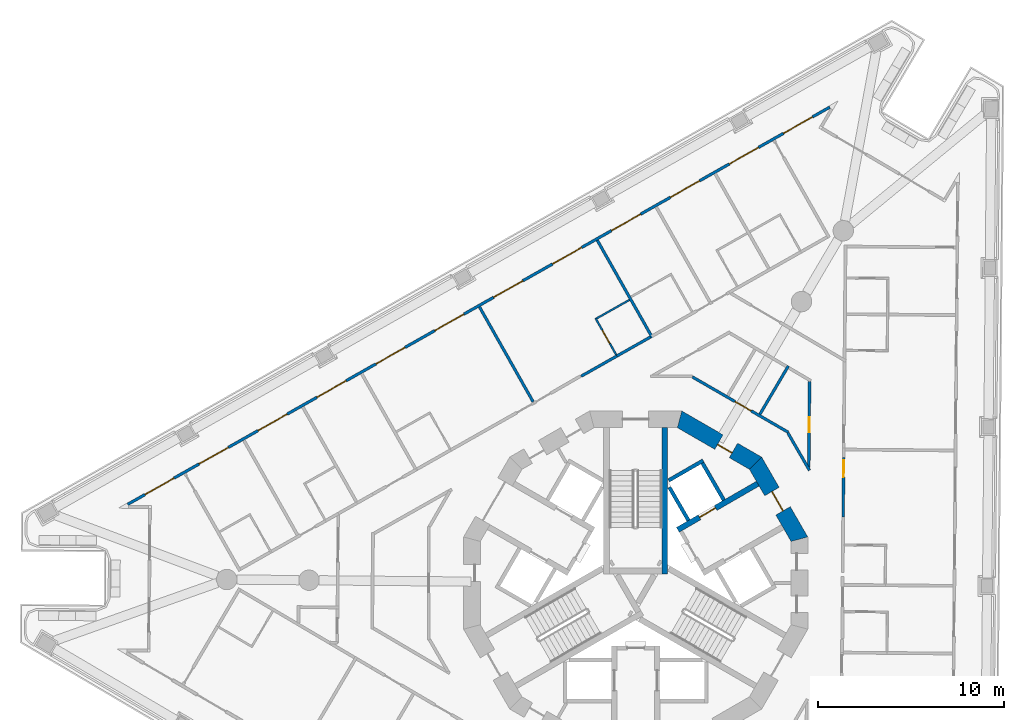
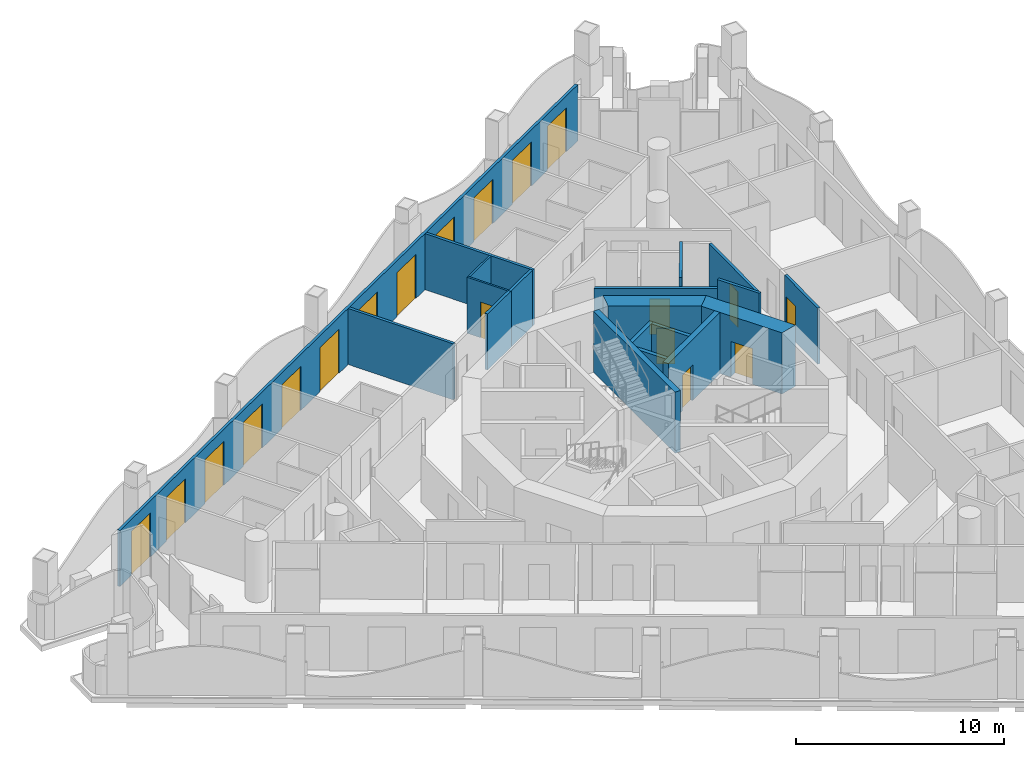
# One storey, part 8 of 17: 19 doors, 19 walls, 19 openings.
"""IFC4 building model written with IfcOpenShell, lengths in metres."""

from ifc_helpers import new_model, si_unit, direction, frame, frame_2d, origin, place, context, subcontext, project, spatial, polyline, rectangle, outline, extrude, material, layer, layer_set, type_object, element, fill, save


model = new_model("IFC4")

# Units and contexts
model_context = context("Model", 3, precision=1e-05, world=origin(), true_north=direction((0.0, 1.0)))
body_context = subcontext(model_context, "Body", "Model", "MODEL_VIEW")
ifc_project = project(units=[si_unit("LENGTHUNIT", "METRE"), si_unit("AREAUNIT", "SQUARE_METRE"), si_unit("VOLUMEUNIT", "CUBIC_METRE"), si_unit("PLANEANGLEUNIT", "RADIAN"), si_unit("MASSUNIT", "GRAM", prefix="KILO")], contexts=[model_context])

# Site, building, storey
site_placement = place(None, origin())
site = spatial("IfcSite", under=ifc_project, at=site_placement, CompositionType="ELEMENT")
building_placement = place(site_placement, origin())
building = spatial("IfcBuilding", under=site, at=building_placement, Name="Trine Commons Tower", CompositionType="ELEMENT")
storey_placement = place(building_placement, frame((0.0, 0.0, 182.699951171875)))
storey = spatial("IfcBuildingStorey", under=building, at=storey_placement, Name="L47", CompositionType="ELEMENT", Elevation=182.699951171875)

# Wall, openings, doors
ifc_material_1 = material(Name="Aluminium-framed insulated wall panel", Category="aluminium")
ifc_layer_1 = layer(ifc_material_1, 0.14990234375)
ifc_layer_set_1 = layer_set([ifc_layer_1], Name="Aluminium-framed insulated wall panel")
wall_type_1 = type_object("IfcWallType", Name="Glazed frame wall 150, EI 60", PredefinedType="SOLIDWALL", material=ifc_layer_set_1)
wall_1_placement = place(storey_placement, frame((52.497802734375, 66.67041015625, 0.0), z_axis=(0.0, 0.0, 1.0), x_axis=(0.870354973249, 0.492424837453, 0.0)))
wall_1 = element("IfcWall", 1, at=wall_1_placement, inside=storey, type_object=wall_type_1, Name="Glazed frame wall F1", PredefinedType="SOLIDWALL", context=body_context, shape_type="SweptSolid", body=[
    extrude(outline(polyline([(0.1494140625, 0.074951171875), (0.1494140625, -0.074951171875), (43.616943359375, -0.074951171875), (43.616943359375, 0.074951171875), (0.1494140625, 0.074951171875)])), origin(), (0.0, 0.0, 1.0), 3.300048828125),
])
opening_1_placement = place(wall_1_placement, frame((1.2236328125, 0.0, 0.0)))
opening_1 = element("IfcOpeningElement", 2, at=opening_1_placement, cuts=wall_1, Name="Opening BD-5F1-01", PredefinedType="OPENING", context=body_context, shape_type="SweptSolid", body=[
    extrude(rectangle(XDim=1.800048828125, YDim=2.60009765625, at=frame_2d((0.89990234375, 1.300048828125))), frame((0.0, 0.0849609375, 0.0), z_axis=(0.0, -1.0, 0.0), x_axis=(1.0, 0.0, 0.0)), (0.0, 0.0, 1.0), 0.169921875),
])
opening_2_placement = place(wall_1_placement, frame((4.57080078125, 0.0, 0.0)))
opening_2 = element("IfcOpeningElement", 3, at=opening_2_placement, cuts=wall_1, Name="Opening BD-5F1-02", PredefinedType="OPENING", context=body_context, shape_type="SweptSolid", body=[
    extrude(rectangle(XDim=1.800048828125, YDim=2.60009765625, at=frame_2d((0.89990234375, 1.300048828125))), frame((0.0, 0.0849609375, 0.0), z_axis=(0.0, -1.0, 0.0), x_axis=(1.0, 0.0, 0.0)), (0.0, 0.0, 1.0), 0.169921875),
])
opening_3_placement = place(wall_1_placement, frame((8.218017578125, 0.0, 0.0)))
opening_3 = element("IfcOpeningElement", 4, at=opening_3_placement, cuts=wall_1, Name="Opening BD-5F1-03", PredefinedType="OPENING", context=body_context, shape_type="SweptSolid", body=[
    extrude(rectangle(XDim=1.800048828125, YDim=2.60009765625, at=frame_2d((0.89990234375, 1.300048828125))), frame((0.0, 0.0849609375, 0.0), z_axis=(0.0, -1.0, 0.0), x_axis=(1.0, 0.0, 0.0)), (0.0, 0.0, 1.0), 0.169921875),
])
opening_4_placement = place(wall_1_placement, frame((11.865234375, 0.0, 0.0)))
opening_4 = element("IfcOpeningElement", 5, at=opening_4_placement, cuts=wall_1, Name="Opening BD-5F1-04", PredefinedType="OPENING", context=body_context, shape_type="SweptSolid", body=[
    extrude(rectangle(XDim=1.800048828125, YDim=2.60009765625, at=frame_2d((0.89990234375, 1.300048828125))), frame((0.0, 0.0849609375, 0.0), z_axis=(0.0, -1.0, 0.0), x_axis=(1.0, 0.0, 0.0)), (0.0, 0.0, 1.0), 0.169921875),
])
opening_5_placement = place(wall_1_placement, frame((15.512451171875, 0.0, 0.0)))
opening_5 = element("IfcOpeningElement", 6, at=opening_5_placement, cuts=wall_1, Name="Opening BD-5F1-05", PredefinedType="OPENING", context=body_context, shape_type="SweptSolid", body=[
    extrude(rectangle(XDim=1.800048828125, YDim=2.60009765625, at=frame_2d((0.89990234375, 1.300048828125))), frame((0.0, 0.0849609375, 0.0), z_axis=(0.0, -1.0, 0.0), x_axis=(1.0, 0.0, 0.0)), (0.0, 0.0, 1.0), 0.169921875),
])
opening_6_placement = place(wall_1_placement, frame((19.15966796875, 0.0, 0.0)))
opening_6 = element("IfcOpeningElement", 7, at=opening_6_placement, cuts=wall_1, Name="Opening BD-5F1-06", PredefinedType="OPENING", context=body_context, shape_type="SweptSolid", body=[
    extrude(rectangle(XDim=1.800048828125, YDim=2.60009765625, at=frame_2d((0.89990234375, 1.300048828125))), frame((0.0, 0.0849609375, 0.0), z_axis=(0.0, -1.0, 0.0), x_axis=(1.0, 0.0, 0.0)), (0.0, 0.0, 1.0), 0.169921875),
])
opening_7_placement = place(wall_1_placement, frame((22.806884765625, 0.0, 0.0)))
opening_7 = element("IfcOpeningElement", 8, at=opening_7_placement, cuts=wall_1, Name="Opening BD-5F1-07", PredefinedType="OPENING", context=body_context, shape_type="SweptSolid", body=[
    extrude(rectangle(XDim=1.800048828125, YDim=2.60009765625, at=frame_2d((0.89990234375, 1.300048828125))), frame((0.0, 0.0849609375, 0.0), z_axis=(0.0, -1.0, 0.0), x_axis=(1.0, 0.0, 0.0)), (0.0, 0.0, 1.0), 0.169921875),
])
opening_8_placement = place(wall_1_placement, frame((26.4541015625, 0.0, 0.0)))
opening_8 = element("IfcOpeningElement", 9, at=opening_8_placement, cuts=wall_1, Name="Opening BD-5F1-08", PredefinedType="OPENING", context=body_context, shape_type="SweptSolid", body=[
    extrude(rectangle(XDim=1.800048828125, YDim=2.60009765625, at=frame_2d((0.89990234375, 1.300048828125))), frame((0.0, 0.0849609375, 0.0), z_axis=(0.0, -1.0, 0.0), x_axis=(1.0, 0.0, 0.0)), (0.0, 0.0, 1.0), 0.169921875),
])
opening_9_placement = place(wall_1_placement, frame((30.101318359375, 0.0, 0.0)))
opening_9 = element("IfcOpeningElement", 10, at=opening_9_placement, cuts=wall_1, Name="Opening BD-5F1-09", PredefinedType="OPENING", context=body_context, shape_type="SweptSolid", body=[
    extrude(rectangle(XDim=1.800048828125, YDim=2.60009765625, at=frame_2d((0.89990234375, 1.300048828125))), frame((0.0, 0.0849609375, 0.0), z_axis=(0.0, -1.0, 0.0), x_axis=(1.0, 0.0, 0.0)), (0.0, 0.0, 1.0), 0.169921875),
])
opening_10_placement = place(wall_1_placement, frame((33.748291015625, 0.0, 0.0)))
opening_10 = element("IfcOpeningElement", 11, at=opening_10_placement, cuts=wall_1, Name="Opening BD-5F1-10", PredefinedType="OPENING", context=body_context, shape_type="SweptSolid", body=[
    extrude(rectangle(XDim=1.800048828125, YDim=2.60009765625, at=frame_2d((0.89990234375, 1.300048828125))), frame((0.0, 0.0849609375, 0.0), z_axis=(0.0, -1.0, 0.0), x_axis=(1.0, 0.0, 0.0)), (0.0, 0.0, 1.0), 0.169921875),
])
opening_11_placement = place(wall_1_placement, frame((37.3955078125, 0.0, 0.0)))
opening_11 = element("IfcOpeningElement", 12, at=opening_11_placement, cuts=wall_1, Name="Opening BD-5F1-11", PredefinedType="OPENING", context=body_context, shape_type="SweptSolid", body=[
    extrude(rectangle(XDim=1.800048828125, YDim=2.60009765625, at=frame_2d((0.89990234375, 1.300048828125))), frame((0.0, 0.0849609375, 0.0), z_axis=(0.0, -1.0, 0.0), x_axis=(1.0, 0.0, 0.0)), (0.0, 0.0, 1.0), 0.169921875),
])
opening_12_placement = place(wall_1_placement, frame((40.742919921875, 0.0, 0.0)))
opening_12 = element("IfcOpeningElement", 13, at=opening_12_placement, cuts=wall_1, Name="Opening BD-5F1-12", PredefinedType="OPENING", context=body_context, shape_type="SweptSolid", body=[
    extrude(rectangle(XDim=1.800048828125, YDim=2.60009765625, at=frame_2d((0.89990234375, 1.300048828125))), frame((0.0, 0.0849609375, 0.0), z_axis=(0.0, -1.0, 0.0), x_axis=(1.0, 0.0, 0.0)), (0.0, 0.0, 1.0), 0.169921875),
])
ifc_material_2 = material(Name="Anodised aluminium frame with double glazing", Category="aluminium")
door_type_1 = type_object("IfcDoorType", Name="Sliding loggia door 1800x2600", OperationType="SLIDING_TO_LEFT", PredefinedType="DOOR", material=ifc_material_2)
door_1_placement = place(opening_1_placement, origin())
door_1 = element("IfcDoor", 14, at=door_1_placement, inside=storey, type_object=door_type_1, Name="Loggia door F1 1", OperationType="SLIDING_TO_LEFT", OverallHeight=2.60009765625, OverallWidth=1.800048828125, PredefinedType="DOOR", context=body_context, shape_type="SweptSolid", body=[
    extrude(rectangle(XDim=1.800048828125, YDim=2.60009765625, at=frame_2d((0.89990234375, 1.300048828125))), frame((0.0, 0.02490234375, 0.0), z_axis=(0.0, -1.0, 0.0), x_axis=(1.0, 0.0, 0.0)), (0.0, 0.0, 1.0), 0.050048828125),
])
fill(opening_1, door_1)
door_2_placement = place(opening_2_placement, origin())
door_2 = element("IfcDoor", 15, at=door_2_placement, inside=storey, type_object=door_type_1, Name="Loggia door F1 2", OperationType="SLIDING_TO_LEFT", OverallHeight=2.60009765625, OverallWidth=1.800048828125, PredefinedType="DOOR", context=body_context, shape_type="SweptSolid", body=[
    extrude(rectangle(XDim=1.800048828125, YDim=2.60009765625, at=frame_2d((0.89990234375, 1.300048828125))), frame((0.0, 0.02490234375, 0.0), z_axis=(0.0, -1.0, 0.0), x_axis=(1.0, 0.0, 0.0)), (0.0, 0.0, 1.0), 0.050048828125),
])
fill(opening_2, door_2)
door_3_placement = place(opening_3_placement, origin())
door_3 = element("IfcDoor", 16, at=door_3_placement, inside=storey, type_object=door_type_1, Name="Loggia door F1 3", OperationType="SLIDING_TO_LEFT", OverallHeight=2.60009765625, OverallWidth=1.800048828125, PredefinedType="DOOR", context=body_context, shape_type="SweptSolid", body=[
    extrude(rectangle(XDim=1.800048828125, YDim=2.60009765625, at=frame_2d((0.89990234375, 1.300048828125))), frame((0.0, 0.02490234375, 0.0), z_axis=(0.0, -1.0, 0.0), x_axis=(1.0, 0.0, 0.0)), (0.0, 0.0, 1.0), 0.050048828125),
])
fill(opening_3, door_3)
door_4_placement = place(opening_4_placement, origin())
door_4 = element("IfcDoor", 17, at=door_4_placement, inside=storey, type_object=door_type_1, Name="Loggia door F1 4", OperationType="SLIDING_TO_LEFT", OverallHeight=2.60009765625, OverallWidth=1.800048828125, PredefinedType="DOOR", context=body_context, shape_type="SweptSolid", body=[
    extrude(rectangle(XDim=1.800048828125, YDim=2.60009765625, at=frame_2d((0.89990234375, 1.300048828125))), frame((0.0, 0.02490234375, 0.0), z_axis=(0.0, -1.0, 0.0), x_axis=(1.0, 0.0, 0.0)), (0.0, 0.0, 1.0), 0.050048828125),
])
fill(opening_4, door_4)
door_5_placement = place(opening_5_placement, origin())
door_5 = element("IfcDoor", 18, at=door_5_placement, inside=storey, type_object=door_type_1, Name="Loggia door F1 5", OperationType="SLIDING_TO_LEFT", OverallHeight=2.60009765625, OverallWidth=1.800048828125, PredefinedType="DOOR", context=body_context, shape_type="SweptSolid", body=[
    extrude(rectangle(XDim=1.800048828125, YDim=2.60009765625, at=frame_2d((0.89990234375, 1.300048828125))), frame((0.0, 0.02490234375, 0.0), z_axis=(0.0, -1.0, 0.0), x_axis=(1.0, 0.0, 0.0)), (0.0, 0.0, 1.0), 0.050048828125),
])
fill(opening_5, door_5)
door_6_placement = place(opening_6_placement, origin())
door_6 = element("IfcDoor", 19, at=door_6_placement, inside=storey, type_object=door_type_1, Name="Loggia door F1 6", OperationType="SLIDING_TO_LEFT", OverallHeight=2.60009765625, OverallWidth=1.800048828125, PredefinedType="DOOR", context=body_context, shape_type="SweptSolid", body=[
    extrude(rectangle(XDim=1.800048828125, YDim=2.60009765625, at=frame_2d((0.89990234375, 1.300048828125))), frame((0.0, 0.02490234375, 0.0), z_axis=(0.0, -1.0, 0.0), x_axis=(1.0, 0.0, 0.0)), (0.0, 0.0, 1.0), 0.050048828125),
])
fill(opening_6, door_6)
door_7_placement = place(opening_7_placement, origin())
door_7 = element("IfcDoor", 20, at=door_7_placement, inside=storey, type_object=door_type_1, Name="Loggia door F1 7", OperationType="SLIDING_TO_LEFT", OverallHeight=2.60009765625, OverallWidth=1.800048828125, PredefinedType="DOOR", context=body_context, shape_type="SweptSolid", body=[
    extrude(rectangle(XDim=1.800048828125, YDim=2.60009765625, at=frame_2d((0.89990234375, 1.300048828125))), frame((0.0, 0.02490234375, 0.0), z_axis=(0.0, -1.0, 0.0), x_axis=(1.0, 0.0, 0.0)), (0.0, 0.0, 1.0), 0.050048828125),
])
fill(opening_7, door_7)
door_8_placement = place(opening_8_placement, origin())
door_8 = element("IfcDoor", 21, at=door_8_placement, inside=storey, type_object=door_type_1, Name="Loggia door F1 8", OperationType="SLIDING_TO_LEFT", OverallHeight=2.60009765625, OverallWidth=1.800048828125, PredefinedType="DOOR", context=body_context, shape_type="SweptSolid", body=[
    extrude(rectangle(XDim=1.800048828125, YDim=2.60009765625, at=frame_2d((0.89990234375, 1.300048828125))), frame((0.0, 0.02490234375, 0.0), z_axis=(0.0, -1.0, 0.0), x_axis=(1.0, 0.0, 0.0)), (0.0, 0.0, 1.0), 0.050048828125),
])
fill(opening_8, door_8)
door_9_placement = place(opening_9_placement, origin())
door_9 = element("IfcDoor", 22, at=door_9_placement, inside=storey, type_object=door_type_1, Name="Loggia door F1 9", OperationType="SLIDING_TO_LEFT", OverallHeight=2.60009765625, OverallWidth=1.800048828125, PredefinedType="DOOR", context=body_context, shape_type="SweptSolid", body=[
    extrude(rectangle(XDim=1.800048828125, YDim=2.60009765625, at=frame_2d((0.89990234375, 1.300048828125))), frame((0.0, 0.02490234375, 0.0), z_axis=(0.0, -1.0, 0.0), x_axis=(1.0, 0.0, 0.0)), (0.0, 0.0, 1.0), 0.050048828125),
])
fill(opening_9, door_9)
door_10_placement = place(opening_10_placement, origin())
door_10 = element("IfcDoor", 23, at=door_10_placement, inside=storey, type_object=door_type_1, Name="Loggia door F1 10", OperationType="SLIDING_TO_LEFT", OverallHeight=2.60009765625, OverallWidth=1.800048828125, PredefinedType="DOOR", context=body_context, shape_type="SweptSolid", body=[
    extrude(rectangle(XDim=1.800048828125, YDim=2.60009765625, at=frame_2d((0.89990234375, 1.300048828125))), frame((0.0, 0.02490234375, 0.0), z_axis=(0.0, -1.0, 0.0), x_axis=(1.0, 0.0, 0.0)), (0.0, 0.0, 1.0), 0.050048828125),
])
fill(opening_10, door_10)
door_11_placement = place(opening_11_placement, origin())
door_11 = element("IfcDoor", 24, at=door_11_placement, inside=storey, type_object=door_type_1, Name="Loggia door F1 11", OperationType="SLIDING_TO_LEFT", OverallHeight=2.60009765625, OverallWidth=1.800048828125, PredefinedType="DOOR", context=body_context, shape_type="SweptSolid", body=[
    extrude(rectangle(XDim=1.800048828125, YDim=2.60009765625, at=frame_2d((0.89990234375, 1.300048828125))), frame((0.0, 0.02490234375, 0.0), z_axis=(0.0, -1.0, 0.0), x_axis=(1.0, 0.0, 0.0)), (0.0, 0.0, 1.0), 0.050048828125),
])
fill(opening_11, door_11)
door_12_placement = place(opening_12_placement, origin())
door_12 = element("IfcDoor", 25, at=door_12_placement, inside=storey, type_object=door_type_1, Name="Loggia door F1 12", OperationType="SLIDING_TO_LEFT", OverallHeight=2.60009765625, OverallWidth=1.800048828125, PredefinedType="DOOR", context=body_context, shape_type="SweptSolid", body=[
    extrude(rectangle(XDim=1.800048828125, YDim=2.60009765625, at=frame_2d((0.89990234375, 1.300048828125))), frame((0.0, 0.02490234375, 0.0), z_axis=(0.0, -1.0, 0.0), x_axis=(1.0, 0.0, 0.0)), (0.0, 0.0, 1.0), 0.050048828125),
])
fill(opening_12, door_12)

# Wall, opening, door
ifc_material_3 = material(Name="Concrete C60/75", Category="concrete")
ifc_layer_2 = layer(ifc_material_3, 0.300048828125)
ifc_layer_set_2 = layer_set([ifc_layer_2], Name="Concrete C60/75")
wall_type_2 = type_object("IfcWallType", Name="RC shear wall 300 mm, C60/75", PredefinedType="SHEAR", material=ifc_layer_set_2)
wall_2_placement = place(storey_placement, frame((82.26904296875, 65.368896484375, 0.0), z_axis=(0.0, 0.0, 1.0), x_axis=(0.865983655544, 0.500072303102, 0.0)))
wall_2 = element("IfcWall", 26, at=wall_2_placement, inside=storey, type_object=wall_type_2, Name="Core cross wall SWB-05 L47", PredefinedType="SHEAR", context=body_context, shape_type="SweptSolid", body=[
    extrude(rectangle(XDim=4.973388671875, YDim=0.300048828125, at=frame_2d((2.48681640625, 0.0))), origin(), (0.0, 0.0, 1.0), 3.60009765625),
])
opening_13_placement = place(wall_2_placement, frame((1.3505859375, 0.0, 0.0)))
opening_13 = element("IfcOpeningElement", 27, at=opening_13_placement, cuts=wall_2, Name="Opening LD5", PredefinedType="OPENING", context=body_context, shape_type="SweptSolid", body=[
    extrude(rectangle(XDim=1.0, YDim=2.10009765625, at=frame_2d((0.5, 1.050048828125))), frame((0.0, 0.159912109375, 0.0), z_axis=(0.0, -1.0, 0.0), x_axis=(1.0, 0.0, 0.0)), (0.0, 0.0, 1.0), 0.320068359375),
])
ifc_material_4 = material(Name="Stainless steel sliding door leaves", Category="steel")
door_type_2 = type_object("IfcDoorType", Name="Lift landing door, centre-opening sliding 1000 x 2100, FD90", OperationType="DOUBLE_DOOR_SLIDING", PredefinedType="DOOR", material=ifc_material_4)
door_13_placement = place(opening_13_placement, origin())
door_13 = element("IfcDoor", 28, at=door_13_placement, inside=storey, type_object=door_type_2, Name="Lift landing door HR1 L47", OperationType="DOUBLE_DOOR_SLIDING", OverallHeight=2.10009765625, OverallWidth=1.0, PredefinedType="DOOR", context=body_context, shape_type="SweptSolid", body=[
    extrude(rectangle(XDim=1.0, YDim=2.10009765625, at=frame_2d((0.5, 1.050048828125))), frame((0.0, 0.02490234375, 0.0), z_axis=(0.0, -1.0, 0.0), x_axis=(1.0, 0.0, 0.0)), (0.0, 0.0, 1.0), 0.050048828125),
])
fill(opening_13, door_13)

# Wall
wall_3_placement = place(storey_placement, frame((81.574951171875, 63.0009765625, 0.0), z_axis=(0.0, 0.0, 1.0), x_axis=(0.0, 1.0, 0.0)))
element("IfcWall", 29, at=wall_3_placement, inside=storey, type_object=wall_type_2, Name="Core cross wall SWB-17 L47", PredefinedType="SHEAR", context=body_context, shape_type="SweptSolid", body=[
    extrude(rectangle(XDim=7.8720703125, YDim=0.300048828125, at=frame_2d((3.93603515625, 0.0))), origin(), (0.0, 0.0, 1.0), 3.60009765625),
])

# Wall, opening, door
ifc_layer_3 = layer(ifc_material_3, 0.89990234375)
ifc_layer_set_3 = layer_set([ifc_layer_3], Name="Concrete C60/75")
wall_type_3 = type_object("IfcWallType", Name="RC shear wall 900 mm, C60/75", PredefinedType="SHEAR", material=ifc_layer_set_3)
wall_4_placement = place(storey_placement, frame((88.88330078125, 64.759765625, 0.0), z_axis=(0.0, 0.0, 1.0), x_axis=(-0.500038571144, 0.866003133579, 0.0)))
wall_4 = element("IfcWall", 30, at=wall_4_placement, inside=storey, type_object=wall_type_3, Name="Core wall CWE-02 L47", PredefinedType="SHEAR", context=body_context, shape_type="SweptSolid", body=[
    extrude(outline(polyline([(0.0, -0.449951171875), (4.96923828125, -0.449951171875), (4.72802734375, 0.449951171875), (0.2412109375, 0.449951171875), (0.0, -0.449951171875)])), origin(), (0.0, 0.0, 1.0), 3.60009765625),
])
opening_14_placement = place(wall_4_placement, frame((1.884521484375, 0.0, 0.0)))
opening_14 = element("IfcOpeningElement", 31, at=opening_14_placement, cuts=wall_4, Name="Opening K10.04", PredefinedType="OPENING", context=body_context, shape_type="SweptSolid", body=[
    extrude(rectangle(XDim=1.199951171875, YDim=2.10009765625, at=frame_2d((0.60009765625, 1.050048828125))), frame((0.0, 0.4599609375, 0.0), z_axis=(0.0, -1.0, 0.0), x_axis=(1.0, 0.0, 0.0)), (0.0, 0.0, 1.0), 0.919921875),
])
ifc_material_5 = material(Name="Steel door leaves, fire-rated", Category="steel")
door_type_3 = type_object("IfcDoorType", Name="Lobby door, double leaf 1200 x 2100, FD60", OperationType="DOUBLE_DOOR_SINGLE_SWING", PredefinedType="DOOR", material=ifc_material_5)
door_14_placement = place(opening_14_placement, origin())
door_14 = element("IfcDoor", 32, at=door_14_placement, inside=storey, type_object=door_type_3, Name="Lobby door, Passenger lift lobby A L47", OperationType="DOUBLE_DOOR_SINGLE_SWING", OverallHeight=2.10009765625, OverallWidth=1.199951171875, PredefinedType="DOOR", context=body_context, shape_type="SweptSolid", body=[
    extrude(rectangle(XDim=1.199951171875, YDim=2.10009765625, at=frame_2d((0.60009765625, 1.050048828125))), frame((0.0, 0.02490234375, 0.0), z_axis=(0.0, -1.0, 0.0), x_axis=(1.0, 0.0, 0.0)), (0.0, 0.0, 1.0), 0.050048828125),
])
fill(opening_14, door_14)

wall_5_placement = place(storey_placement, frame((86.563232421875, 68.8984375, 0.0), z_axis=(0.0, 0.0, 1.0), x_axis=(-0.866003133579, 0.500038571144, 0.0)))
wall_5 = element("IfcWall", 33, at=wall_5_placement, inside=storey, type_object=wall_type_3, Name="Core wall CWE-03 L47", PredefinedType="SHEAR", context=body_context, shape_type="SweptSolid", body=[
    extrude(outline(polyline([(0.0, -0.449951171875), (4.96923828125, -0.449951171875), (4.72802734375, 0.449951171875), (0.2412109375, 0.449951171875), (0.0, -0.449951171875)])), origin(), (0.0, 0.0, 1.0), 3.60009765625),
])
opening_15_placement = place(wall_5_placement, frame((1.49609375, 0.0, 0.0)))
opening_15 = element("IfcOpeningElement", 34, at=opening_15_placement, cuts=wall_5, Name="Opening K10.12", PredefinedType="OPENING", context=body_context, shape_type="SweptSolid", body=[
    extrude(rectangle(XDim=0.89990234375, YDim=2.10009765625, at=frame_2d((0.449951171875, 1.050048828125))), frame((0.0, 0.4599609375, 0.0), z_axis=(0.0, -1.0, 0.0), x_axis=(1.0, 0.0, 0.0)), (0.0, 0.0, 1.0), 0.919921875),
])
ifc_material_6 = material(Name="Steel door leaf, fire-rated", Category="steel")
door_type_4 = type_object("IfcDoorType", Name="Core room door, single leaf 900 x 2100, FD30S", OperationType="SINGLE_SWING_LEFT", PredefinedType="DOOR", material=ifc_material_6)
door_15_placement = place(opening_15_placement, origin())
door_15 = element("IfcDoor", 35, at=door_15_placement, inside=storey, type_object=door_type_4, Name="Door to Pantry L47", OperationType="SINGLE_SWING_LEFT", OverallHeight=2.10009765625, OverallWidth=0.89990234375, PredefinedType="DOOR", context=body_context, shape_type="SweptSolid", body=[
    extrude(rectangle(XDim=0.89990234375, YDim=2.10009765625, at=frame_2d((0.449951171875, 1.050048828125))), frame((0.0, 0.1748046875, 0.0), z_axis=(0.0, -1.0, 0.0), x_axis=(1.0, 0.0, 0.0)), (0.0, 0.0, 1.0), 0.050048828125),
])
fill(opening_15, door_15)

# Walls
ifc_material_7 = material(Name="Fire-rated gypsum shaft wall system")
ifc_layer_4 = layer(ifc_material_7, 0.199951171875)
ifc_layer_set_4 = layer_set([ifc_layer_4], Name="Fire-rated gypsum shaft wall system")
wall_type_4 = type_object("IfcWallType", Name="Shaft wall 200 mm, EI 120", PredefinedType="PARTITIONING", material=ifc_layer_set_4)
wall_6_placement = place(storey_placement, frame((81.77490234375, 68.028076171875, 0.0), z_axis=(0.0, 0.0, 1.0), x_axis=(0.866130725101, 0.499817533742, 0.0)))
element("IfcWall", 36, at=wall_6_placement, inside=storey, type_object=wall_type_4, Name="Shaft wall L47", PredefinedType="PARTITIONING", context=body_context, shape_type="SweptSolid", body=[
    extrude(rectangle(XDim=2.148681640625, YDim=0.199951171875, at=frame_2d((1.07421875, 0.0))), origin(), (0.0, 0.0, 1.0), 3.300048828125),
])
wall_7_placement = place(storey_placement, frame((82.843994140625, 65.8740234375, 0.0), z_axis=(0.0, 0.0, 1.0), x_axis=(-0.499865770674, 0.866102887253, 0.0)))
element("IfcWall", 37, at=wall_7_placement, inside=storey, type_object=wall_type_4, Name="Shaft wall L47", PredefinedType="PARTITIONING", context=body_context, shape_type="SweptSolid", body=[
    extrude(rectangle(XDim=2.064453125, YDim=0.199951171875, at=frame_2d((1.0322265625, 0.0))), origin(), (0.0, 0.0, 1.0), 3.300048828125),
])
wall_8_placement = place(storey_placement, frame((84.7490234375, 66.97412109375, 0.0), z_axis=(0.0, 0.0, 1.0), x_axis=(-0.500136062276, 0.86594683394, 0.0)))
element("IfcWall", 38, at=wall_8_placement, inside=storey, type_object=wall_type_4, Name="Shaft wall L47", PredefinedType="PARTITIONING", context=body_context, shape_type="SweptSolid", body=[
    extrude(rectangle(XDim=2.299072265625, YDim=0.199951171875, at=frame_2d((1.1494140625, 0.0))), origin(), (0.0, 0.0, 1.0), 3.300048828125),
])
ifc_material_8 = material(Name="Gypsum plasterboard on steel stud", Category="steel")
ifc_layer_5 = layer(ifc_material_8, 0.14990234375)
ifc_layer_set_5 = layer_set([ifc_layer_5], Name="Gypsum plasterboard on steel stud")
wall_type_5 = type_object("IfcWallType", Name="Unit and corridor wall 150 mm, EI 60", PredefinedType="PARTITIONING", material=ifc_layer_set_5)
wall_9_placement = place(storey_placement, frame((71.580810546875, 77.381103515625, 0.0), z_axis=(0.0, 0.0, 1.0), x_axis=(0.4923790567, -0.870380873252, 0.0)))
element("IfcWall", 39, at=wall_9_placement, inside=storey, type_object=wall_type_5, Name="Partition 041", PredefinedType="PARTITIONING", context=body_context, shape_type="SweptSolid", body=[
    extrude(rectangle(XDim=5.874267578125, YDim=0.14990234375, at=frame_2d((2.93701171875, 0.0))), origin(), (0.0, 0.0, 1.0), 3.300048828125),
])
wall_10_placement = place(storey_placement, frame((77.06396484375, 73.64794921875, 0.0), z_axis=(0.0, 0.0, 1.0), x_axis=(0.870371968562, 0.492394797232, 0.0)))
element("IfcWall", 40, at=wall_10_placement, inside=storey, type_object=wall_type_5, Name="Partition 045", PredefinedType="PARTITIONING", context=body_context, shape_type="SweptSolid", body=[
    extrude(rectangle(XDim=2.263916015625, YDim=0.14990234375, at=frame_2d((1.1318359375, 0.0))), origin(), (0.0, 0.0, 1.0), 3.300048828125),
])
wall_11_placement = place(storey_placement, frame((77.9296875, 80.97314453125, 0.0), z_axis=(0.0, 0.0, 1.0), x_axis=(0.492389730591, -0.870374834889, 0.0)))
element("IfcWall", 41, at=wall_11_placement, inside=storey, type_object=wall_type_5, Name="Partition 051", PredefinedType="PARTITIONING", context=body_context, shape_type="SweptSolid", body=[
    extrude(rectangle(XDim=6.0244140625, YDim=0.14990234375, at=frame_2d((3.01220703125, 0.0))), origin(), (0.0, 0.0, 1.0), 3.300048828125),
])
wall_12_placement = place(storey_placement, frame((78.985107421875, 74.735107421875, 0.0), z_axis=(0.0, 0.0, 1.0), x_axis=(0.870357405907, 0.492420537735, 0.0)))
element("IfcWall", 42, at=wall_12_placement, inside=storey, type_object=wall_type_5, Name="Partition 052", PredefinedType="PARTITIONING", context=body_context, shape_type="SweptSolid", body=[
    extrude(rectangle(XDim=2.081298828125, YDim=0.14990234375, at=frame_2d((1.04052734375, 0.0))), origin(), (0.0, 0.0, 1.0), 3.300048828125),
])

# Wall, opening, door
wall_13_placement = place(storey_placement, frame((83.052001953125, 73.610595703125, 0.0), z_axis=(0.0, 0.0, 1.0), x_axis=(0.866039280689, -0.499975963725, 0.0)))
wall_13 = element("IfcWall", 43, at=wall_13_placement, inside=storey, type_object=wall_type_5, Name="Partition 069", PredefinedType="PARTITIONING", context=body_context, shape_type="SweptSolid", body=[
    extrude(rectangle(XDim=5.974365234375, YDim=0.14990234375, at=frame_2d((2.9873046875, 0.0))), origin(), (0.0, 0.0, 1.0), 2.75),
])
opening_16_placement = place(wall_13_placement, frame((2.6591796875, 0.0, 0.0)))
opening_16 = element("IfcOpeningElement", 44, at=opening_16_placement, cuts=wall_13, Name="Opening D-5C32", PredefinedType="OPENING", context=body_context, shape_type="SweptSolid", body=[
    extrude(rectangle(XDim=1.0, YDim=2.10009765625, at=frame_2d((0.5, 1.050048828125))), frame((0.0, 0.0849609375, 0.0), z_axis=(0.0, -1.0, 0.0), x_axis=(1.0, 0.0, 0.0)), (0.0, 0.0, 1.0), 0.169921875),
])
ifc_material_9 = material(Name="Painted timber", Category="wood")
door_type_5 = type_object("IfcDoorType", Name="Toilet door 1000 x 2100, NOT RATED", OperationType="NOTDEFINED", PredefinedType="DOOR", material=ifc_material_9)
door_16_placement = place(opening_16_placement, origin())
door_16 = element("IfcDoor", 45, at=door_16_placement, inside=storey, type_object=door_type_5, Name="Door D-5C32", OperationType="SINGLE_SWING_RIGHT", OverallHeight=2.10009765625, OverallWidth=1.0, PredefinedType="DOOR", context=body_context, shape_type="SweptSolid", body=[
    extrude(rectangle(XDim=1.0, YDim=2.10009765625, at=frame_2d((0.5, 1.050048828125))), frame((0.0, 0.02490234375, 0.0), z_axis=(0.0, -1.0, 0.0), x_axis=(1.0, 0.0, 0.0)), (0.0, 0.0, 1.0), 0.050048828125),
])
fill(opening_16, door_16)

# Walls
wall_14_placement = place(storey_placement, frame((86.692138671875, 71.595703125, 0.0), z_axis=(0.0, 0.0, 1.0), x_axis=(0.507553107521, 0.861620475062, 0.0)))
element("IfcWall", 46, at=wall_14_placement, inside=storey, type_object=wall_type_5, Name="Partition 088", PredefinedType="PARTITIONING", context=body_context, shape_type="SweptSolid", body=[
    extrude(rectangle(XDim=3.022216796875, YDim=0.14990234375, at=frame_2d((1.51123046875, 0.0))), origin(), (0.0, 0.0, 1.0), 3.300048828125),
])
wall_15_placement = place(storey_placement, frame((88.198486328125, 70.595947265625, 0.0), z_axis=(0.0, 0.0, 1.0), x_axis=(0.500005931509, -0.866021979199, 0.0)))
element("IfcWall", 47, at=wall_15_placement, inside=storey, type_object=wall_type_5, Name="Partition 095", PredefinedType="PARTITIONING", context=body_context, shape_type="SweptSolid", body=[
    extrude(rectangle(XDim=2.3359375, YDim=0.14990234375, at=frame_2d((1.16796875, 0.0))), origin(), (0.0, 0.0, 1.0), 3.300048828125),
])

# Wall, opening, door
wall_16_placement = place(storey_placement, frame((89.32763671875, 68.716064453125, 0.0), z_axis=(0.0, 0.0, 1.0), x_axis=(0.008771592358, 0.999961528844, 0.0)))
wall_16 = element("IfcWall", 48, at=wall_16_placement, inside=storey, type_object=wall_type_5, Name="Partition 102", PredefinedType="PARTITIONING", context=body_context, shape_type="SweptSolid", body=[
    extrude(rectangle(XDim=4.648193359375, YDim=0.14990234375, at=frame_2d((2.32421875, 0.0))), origin(), (0.0, 0.0, 1.0), 3.300048828125),
])
opening_17_placement = place(wall_16_placement, frame((1.924072265625, 0.0, 0.0)))
opening_17 = element("IfcOpeningElement", 49, at=opening_17_placement, cuts=wall_16, Name="Opening D-5C31", PredefinedType="OPENING", context=body_context, shape_type="SweptSolid", body=[
    extrude(rectangle(XDim=0.800048828125, YDim=2.10009765625, at=frame_2d((0.39990234375, 1.050048828125))), frame((0.0, 0.0849609375, 0.0), z_axis=(0.0, -1.0, 0.0), x_axis=(1.0, 0.0, 0.0)), (0.0, 0.0, 1.0), 0.169921875),
])
door_type_6 = type_object("IfcDoorType", Name="Toilet door 800 x 2100, NOT RATED", OperationType="NOTDEFINED", PredefinedType="DOOR", material=ifc_material_9)
door_17_placement = place(opening_17_placement, origin())
door_17 = element("IfcDoor", 50, at=door_17_placement, inside=storey, type_object=door_type_6, Name="Door D-5C31", OperationType="SINGLE_SWING_RIGHT", OverallHeight=2.10009765625, OverallWidth=0.800048828125, PredefinedType="DOOR", context=body_context, shape_type="SweptSolid", body=[
    extrude(rectangle(XDim=0.800048828125, YDim=2.10009765625, at=frame_2d((0.39990234375, 1.050048828125))), frame((0.0, 0.02490234375, 0.0), z_axis=(0.0, -1.0, 0.0), x_axis=(1.0, 0.0, 0.0)), (0.0, 0.0, 1.0), 0.050048828125),
])
fill(opening_17, door_17)

wall_17_placement = place(storey_placement, frame((91.179931640625, 66.050048828125, 0.0), z_axis=(0.0, 0.0, 1.0), x_axis=(0.008444616718, 0.999964343589, 0.0)))
wall_17 = element("IfcWall", 51, at=wall_17_placement, inside=storey, type_object=wall_type_5, Name="Partition 119", PredefinedType="PARTITIONING", context=body_context, shape_type="SweptSolid", body=[
    extrude(rectangle(XDim=3.208984375, YDim=0.14990234375, at=frame_2d((1.6044921875, 0.0))), origin(), (0.0, 0.0, 1.0), 3.300048828125),
])
opening_18_placement = place(wall_17_placement, frame((2.1591796875, 0.0, 0.0)))
opening_18 = element("IfcOpeningElement", 52, at=opening_18_placement, cuts=wall_17, Name="Opening D-5C16", PredefinedType="OPENING", context=body_context, shape_type="SweptSolid", body=[
    extrude(rectangle(XDim=0.89990234375, YDim=2.10009765625, at=frame_2d((0.449951171875, 1.050048828125))), frame((0.0, 0.0849609375, 0.0), z_axis=(0.0, -1.0, 0.0), x_axis=(1.0, 0.0, 0.0)), (0.0, 0.0, 1.0), 0.169921875),
])
ifc_material_10 = material(Name="Timber fire door set", Category="wood")
door_type_7 = type_object("IfcDoorType", Name="Bedroom door 900 x 2100, FD30S", OperationType="NOTDEFINED", PredefinedType="DOOR", material=ifc_material_10)
door_18_placement = place(opening_18_placement, frame((0.89990234375, 0.0, 0.0), z_axis=(0.0, 0.0, 1.0), x_axis=(-1.0, 0.0, 0.0)))
door_18 = element("IfcDoor", 53, at=door_18_placement, inside=storey, type_object=door_type_7, Name="Door D-5C16", OperationType="SINGLE_SWING_LEFT", OverallHeight=2.10009765625, OverallWidth=0.89990234375, PredefinedType="DOOR", context=body_context, shape_type="SweptSolid", body=[
    extrude(rectangle(XDim=0.89990234375, YDim=2.10009765625, at=frame_2d((0.449951171875, 1.050048828125))), frame((0.0, 0.02490234375, 0.0), z_axis=(0.0, -1.0, 0.0), x_axis=(1.0, 0.0, 0.0)), (0.0, 0.0, 1.0), 0.050048828125),
])
fill(opening_18, door_18)

ifc_layer_6 = layer(ifc_material_8, 0.10009765625)
ifc_layer_set_6 = layer_set([ifc_layer_6], Name="Gypsum plasterboard on steel stud")
wall_type_6 = type_object("IfcWallType", Name="Unit partition 100 mm, no rating", PredefinedType="PARTITIONING", material=ifc_layer_set_6)
wall_18_placement = place(storey_placement, frame((77.830322265625, 76.781494140625, 0.0), z_axis=(0.0, 0.0, 1.0), x_axis=(0.492587487506, -0.870262929897, 0.0)))
wall_18 = element("IfcWall", 54, at=wall_18_placement, inside=storey, type_object=wall_type_6, Name="Partition 049", PredefinedType="PARTITIONING", context=body_context, shape_type="SweptSolid", body=[
    extrude(rectangle(XDim=2.275390625, YDim=0.10009765625, at=frame_2d((1.1376953125, 0.0))), origin(), (0.0, 0.0, 1.0), 3.300048828125),
])
opening_19_placement = place(wall_18_placement, frame((0.7626953125, 0.0, 0.0)))
opening_19 = element("IfcOpeningElement", 55, at=opening_19_placement, cuts=wall_18, Name="Opening D-5C36", PredefinedType="OPENING", context=body_context, shape_type="SweptSolid", body=[
    extrude(rectangle(XDim=0.800048828125, YDim=2.10009765625, at=frame_2d((0.39990234375, 1.050048828125))), frame((0.0, 0.06005859375, 0.0), z_axis=(0.0, -1.0, 0.0), x_axis=(1.0, 0.0, 0.0)), (0.0, 0.0, 1.0), 0.1201171875),
])
door_type_8 = type_object("IfcDoorType", Name="Internal door 800 x 2100, NOT RATED", OperationType="NOTDEFINED", PredefinedType="DOOR", material=ifc_material_9)
door_19_placement = place(opening_19_placement, frame((0.800048828125, 0.0, 0.0), z_axis=(0.0, 0.0, 1.0), x_axis=(-1.0, 0.0, 0.0)))
door_19 = element("IfcDoor", 56, at=door_19_placement, inside=storey, type_object=door_type_8, Name="Door D-5C36", OperationType="SINGLE_SWING_LEFT", OverallHeight=2.10009765625, OverallWidth=0.800048828125, PredefinedType="DOOR", context=body_context, shape_type="SweptSolid", body=[
    extrude(rectangle(XDim=0.800048828125, YDim=2.10009765625, at=frame_2d((0.39990234375, 1.050048828125))), frame((0.0, 0.02490234375, 0.0), z_axis=(0.0, -1.0, 0.0), x_axis=(1.0, 0.0, 0.0)), (0.0, 0.0, 1.0), 0.050048828125),
])
fill(opening_19, door_19)

# Wall
wall_19_placement = place(storey_placement, frame((77.8984375, 76.7626953125, 0.0), z_axis=(0.0, 0.0, 1.0), x_axis=(0.870407913088, 0.492331255187, 0.0)))
element("IfcWall", 57, at=wall_19_placement, inside=storey, type_object=wall_type_6, Name="Partition 050", PredefinedType="PARTITIONING", context=body_context, shape_type="SweptSolid", body=[
    extrude(rectangle(XDim=2.025634765625, YDim=0.10009765625, at=frame_2d((1.0126953125, 0.0))), origin(), (0.0, 0.0, 1.0), 3.300048828125),
])

save(model, "model.ifc")
